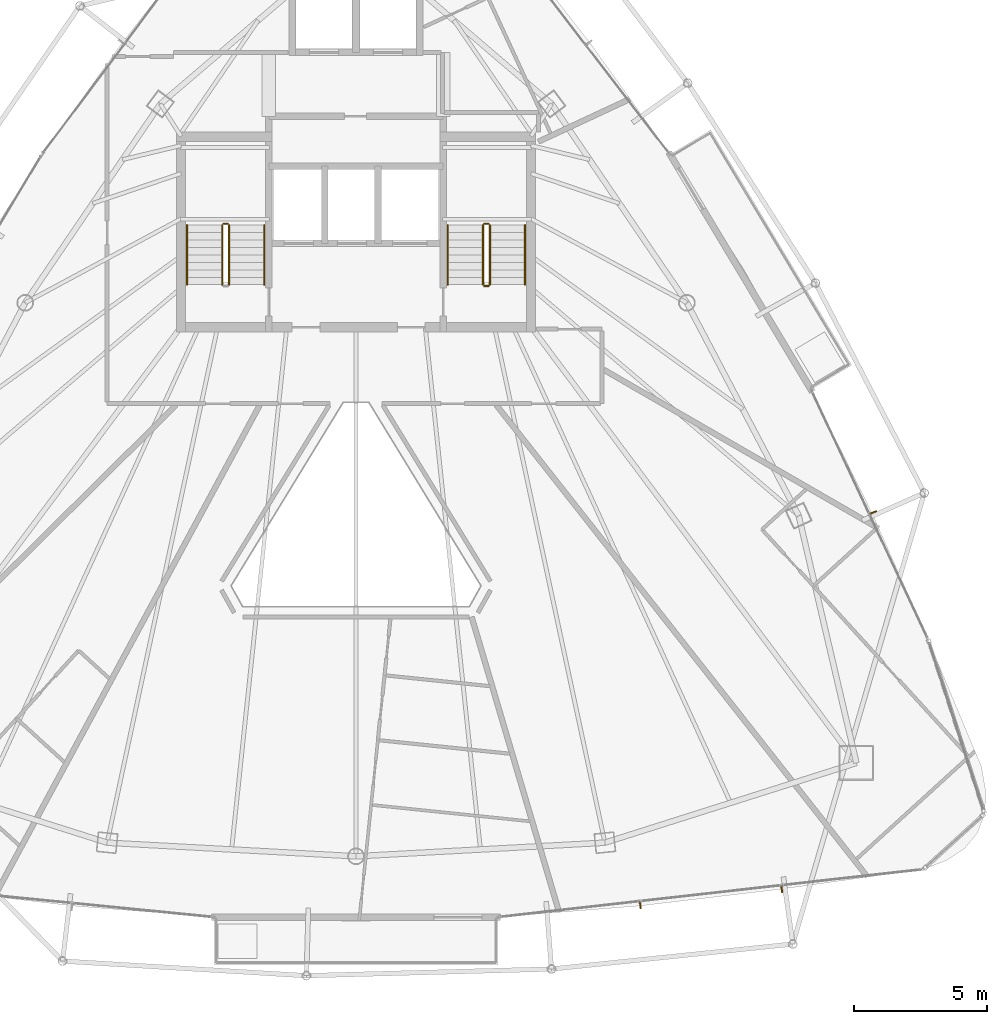
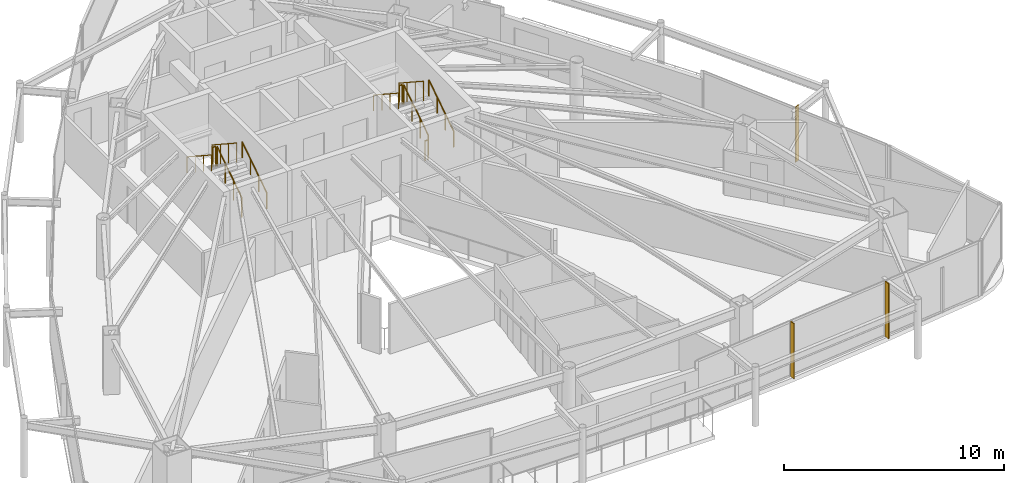
# One storey, part 33 of 34: 11 railings, 3 shading devices.
"""IFC4 building model written with IfcOpenShell, lengths in metres."""

from ifc_helpers import new_model, si_unit, direction, frame, origin, origin_2d, place, context, subcontext, project, spatial, rectangle, circle, extrude, material, layer, layer_set, type_object, element, save


model = new_model("IFC4")

# Units and contexts
model_context = context("Model", 3, precision=1e-05, world=origin(), true_north=direction((0.0, 1.0)))
body_context = subcontext(model_context, "Body", "Model", "MODEL_VIEW")
ifc_project = project(units=[si_unit("LENGTHUNIT", "METRE"), si_unit("AREAUNIT", "SQUARE_METRE"), si_unit("VOLUMEUNIT", "CUBIC_METRE"), si_unit("PLANEANGLEUNIT", "RADIAN"), si_unit("MASSUNIT", "GRAM", prefix="KILO")], contexts=[model_context])

# Site, building, storey
site_placement = place(None, origin())
site = spatial("IfcSite", under=ifc_project, at=site_placement, CompositionType="ELEMENT")
building_placement = place(site_placement, origin())
building = spatial("IfcBuilding", under=site, at=building_placement, Name="Orvanel Arch Residences", CompositionType="ELEMENT")
storey_placement = place(building_placement, frame((0.0, 0.0, 199.699951171875)))
storey = spatial("IfcBuildingStorey", under=building, at=storey_placement, Name="L56", CompositionType="ELEMENT", Elevation=199.699951171875)

# Shading devices
ifc_material_1 = material(Name="Bronze-anodised aluminium AA6063-T6", Category="aluminium")
ifc_layer = layer(ifc_material_1, 0.050048828125)
ifc_layer_set = layer_set([ifc_layer], Name="Bronze-anodised aluminium AA6063-T6")
shading_device_type = type_object("IfcShadingDeviceType", Name="FIN-BRZ-260", PredefinedType="USERDEFINED", material=ifc_layer_set)
for number, where, z_axis, x_axis, name in (
    (1, (43.681884765625, 5.0009765625, 0.0), (0.0, 0.0, 1.0), (0.111468932206, -0.993767919161, 0.0), "L56 Anodised Bronze Mullion FIN 01"),
    (2, (48.9970703125, 5.59912109375, 0.0), (0.0, 0.0, 1.0), (0.111468932206, -0.993767919161, 0.0), "L56 Anodised Bronze Mullion FIN 02"),
    (3, (52.43505859375, 19.763916015625, 0.0), (0.0, 0.0, 1.0), (0.905568799011, 0.424199422745, 0.0), "L56 Anodised Bronze Mullion FIN 01"),
):
    element("IfcShadingDevice", number, at=place(storey_placement, frame(where, z_axis=z_axis, x_axis=x_axis)), inside=storey, type_object=shading_device_type, Name=name, ObjectType="FIN", PredefinedType="USERDEFINED", context=body_context, shape_type="SweptSolid", body=[
        extrude(rectangle(XDim=0.260009765625, YDim=0.050048828125, at=origin_2d()), origin(), (0.0, 0.0, 1.0), 3.06005859375),
    ])

# Railings
ifc_material_2 = material(Name="Structural steel AS/NZS 1163 C350L0 (Grade 350)", Category="steel")
railing_type_1 = type_object("IfcRailingType", Name="RL-STAIR-GUARD", PredefinedType="GUARDRAIL", material=ifc_material_2)
railing_1_placement = place(storey_placement, frame((28.22998046875, 28.320068359375, 0.183349609375)))
element("IfcRailing", 4, at=railing_1_placement, inside=storey, type_object=railing_type_1, Name="L56 ST-1 stair guard 1", PredefinedType="GUARDRAIL", context=body_context, shape_type="SweptSolid", body=[
    extrude(circle(Radius=0.02392578125, at=origin_2d()), frame((0.0, 0.001220703125, 1.076904296875), z_axis=(0.0, 0.836595146698, 0.547821650285), x_axis=(-1.0, 0.0, 0.0)), (0.0, 0.0, 1.0), 2.674560546875),
    extrude(circle(Radius=0.02099609375, at=origin_2d()), origin(), (0.0, 0.0, 1.0), 1.050048828125),
    extrude(circle(Radius=0.02099609375, at=origin_2d()), frame((0.0, 0.74658203125, 0.489013671875)), (0.0, 0.0, 1.0), 1.050048828125),
    extrude(circle(Radius=0.02099609375, at=origin_2d()), frame((0.0, 1.493408203125, 0.977783203125)), (0.0, 0.0, 1.0), 1.050048828125),
    extrude(circle(Radius=0.02099609375, at=origin_2d()), frame((0.0, 2.239990234375, 1.466796875)), (0.0, 0.0, 1.0), 1.050048828125),
])
railing_2_placement = place(storey_placement, frame((28.179931640625, 30.610107421875, 1.650146484375)))
element("IfcRailing", 5, at=railing_2_placement, inside=storey, type_object=railing_type_1, Name="L56 ST-1 stair guard 2", PredefinedType="GUARDRAIL", context=body_context, shape_type="SweptSolid", body=[
    extrude(circle(Radius=0.02392578125, at=origin_2d()), frame((-0.00146484375, 0.0, 1.076171875), z_axis=(-1.0, 0.0, 0.0), x_axis=(0.0, -1.0, 0.0)), (0.0, 0.0, 1.0), 0.156982421875),
    extrude(circle(Radius=0.02099609375, at=origin_2d()), origin(), (0.0, 0.0, 1.0), 1.050048828125),
    extrude(circle(Radius=0.02099609375, at=origin_2d()), frame((-0.159912109375, 0.0, 0.0)), (0.0, 0.0, 1.0), 1.050048828125),
])
railing_3_placement = place(storey_placement, frame((27.969970703125, 30.56005859375, 1.83349609375)))
element("IfcRailing", 6, at=railing_3_placement, inside=storey, type_object=railing_type_1, Name="L56 ST-1 stair guard 3", PredefinedType="GUARDRAIL", context=body_context, shape_type="SweptSolid", body=[
    extrude(circle(Radius=0.02392578125, at=origin_2d()), frame((0.0, -0.001220703125, 1.076904296875), z_axis=(0.0, -0.836636935527, 0.547757827979), x_axis=(1.0, 0.0, 0.0)), (0.0, 0.0, 1.0), 2.67431640625),
    extrude(circle(Radius=0.02099609375, at=origin_2d()), origin(), (0.0, 0.0, 1.0), 1.050048828125),
    extrude(circle(Radius=0.02099609375, at=origin_2d()), frame((0.0, -0.74658203125, 0.48876953125)), (0.0, 0.0, 1.0), 1.050048828125),
    extrude(circle(Radius=0.02099609375, at=origin_2d()), frame((0.0, -1.493408203125, 0.977783203125)), (0.0, 0.0, 1.0), 1.050048828125),
    extrude(circle(Radius=0.02099609375, at=origin_2d()), frame((0.0, -2.239990234375, 1.466552734375)), (0.0, 0.0, 1.0), 1.050048828125),
])
railing_4_placement = place(storey_placement, frame((38.030029296875, 28.320068359375, 0.183349609375)))
element("IfcRailing", 7, at=railing_4_placement, inside=storey, type_object=railing_type_1, Name="L56 ST-2 stair guard 1", PredefinedType="GUARDRAIL", context=body_context, shape_type="SweptSolid", body=[
    extrude(circle(Radius=0.02392578125, at=origin_2d()), frame((0.0, 0.001220703125, 1.076904296875), z_axis=(0.0, 0.836595146698, 0.547821650285), x_axis=(-1.0, 0.0, 0.0)), (0.0, 0.0, 1.0), 2.674560546875),
    extrude(circle(Radius=0.02099609375, at=origin_2d()), origin(), (0.0, 0.0, 1.0), 1.050048828125),
    extrude(circle(Radius=0.02099609375, at=origin_2d()), frame((0.0, 0.74658203125, 0.489013671875)), (0.0, 0.0, 1.0), 1.050048828125),
    extrude(circle(Radius=0.02099609375, at=origin_2d()), frame((0.0, 1.493408203125, 0.977783203125)), (0.0, 0.0, 1.0), 1.050048828125),
    extrude(circle(Radius=0.02099609375, at=origin_2d()), frame((0.0, 2.239990234375, 1.466796875)), (0.0, 0.0, 1.0), 1.050048828125),
])
railing_5_placement = place(storey_placement, frame((37.97998046875, 30.610107421875, 1.650146484375)))
element("IfcRailing", 8, at=railing_5_placement, inside=storey, type_object=railing_type_1, Name="L56 ST-2 stair guard 2", PredefinedType="GUARDRAIL", context=body_context, shape_type="SweptSolid", body=[
    extrude(circle(Radius=0.02392578125, at=origin_2d()), frame((-0.00146484375, 0.0, 1.076171875), z_axis=(-1.0, 0.0, 0.0), x_axis=(0.0, -1.0, 0.0)), (0.0, 0.0, 1.0), 0.156982421875),
    extrude(circle(Radius=0.02099609375, at=origin_2d()), origin(), (0.0, 0.0, 1.0), 1.050048828125),
    extrude(circle(Radius=0.02099609375, at=origin_2d()), frame((-0.159912109375, 0.0, 0.0)), (0.0, 0.0, 1.0), 1.050048828125),
])
railing_6_placement = place(storey_placement, frame((37.77001953125, 30.56005859375, 1.83349609375)))
element("IfcRailing", 9, at=railing_6_placement, inside=storey, type_object=railing_type_1, Name="L56 ST-2 stair guard 3", PredefinedType="GUARDRAIL", context=body_context, shape_type="SweptSolid", body=[
    extrude(circle(Radius=0.02392578125, at=origin_2d()), frame((0.0, -0.001220703125, 1.076904296875), z_axis=(0.0, -0.836636935527, 0.547757827979), x_axis=(1.0, 0.0, 0.0)), (0.0, 0.0, 1.0), 2.67431640625),
    extrude(circle(Radius=0.02099609375, at=origin_2d()), origin(), (0.0, 0.0, 1.0), 1.050048828125),
    extrude(circle(Radius=0.02099609375, at=origin_2d()), frame((0.0, -0.74658203125, 0.48876953125)), (0.0, 0.0, 1.0), 1.050048828125),
    extrude(circle(Radius=0.02099609375, at=origin_2d()), frame((0.0, -1.493408203125, 0.977783203125)), (0.0, 0.0, 1.0), 1.050048828125),
    extrude(circle(Radius=0.02099609375, at=origin_2d()), frame((0.0, -2.239990234375, 1.466552734375)), (0.0, 0.0, 1.0), 1.050048828125),
])
railing_7_placement = place(storey_placement, frame((37.97998046875, 28.27001953125, 0.0)))
element("IfcRailing", 10, at=railing_7_placement, inside=storey, type_object=railing_type_1, Name="L56 ST-2 stair guard 4", PredefinedType="GUARDRAIL", context=body_context, shape_type="SweptSolid", body=[
    extrude(circle(Radius=0.02392578125, at=origin_2d()), frame((-0.00146484375, 0.0, 1.076171875), z_axis=(-1.0, 0.0, 0.0), x_axis=(0.0, -1.0, 0.0)), (0.0, 0.0, 1.0), 0.156982421875),
    extrude(circle(Radius=0.02099609375, at=origin_2d()), origin(), (0.0, 0.0, 1.0), 1.050048828125),
    extrude(circle(Radius=0.02099609375, at=origin_2d()), frame((-0.159912109375, 0.0, 0.0)), (0.0, 0.0, 1.0), 1.050048828125),
])
railing_type_2 = type_object("IfcRailingType", Name="RL-STAIR-HAND", PredefinedType="HANDRAIL", material=ifc_material_2)
railing_8_placement = place(storey_placement, frame((29.550048828125, 28.320068359375, 0.183349609375)))
element("IfcRailing", 11, at=railing_8_placement, inside=storey, type_object=railing_type_2, Name="L56 ST-1 stair handrail 1", PredefinedType="HANDRAIL", context=body_context, shape_type="SweptSolid", body=[
    extrude(circle(Radius=0.02392578125, at=origin_2d()), frame((0.0, 0.001220703125, 0.876708984375), z_axis=(0.0, 0.836595146698, 0.547821650285), x_axis=(-1.0, 0.0, 0.0)), (0.0, 0.0, 1.0), 2.674560546875),
    extrude(circle(Radius=0.02099609375, at=origin_2d()), origin(), (0.0, 0.0, 1.0), 0.849853515625),
    extrude(circle(Radius=0.02099609375, at=origin_2d()), frame((0.0, 0.74658203125, 0.489013671875)), (0.0, 0.0, 1.0), 0.849853515625),
    extrude(circle(Radius=0.02099609375, at=origin_2d()), frame((0.0, 1.493408203125, 0.977783203125)), (0.0, 0.0, 1.0), 0.849853515625),
    extrude(circle(Radius=0.02099609375, at=origin_2d()), frame((0.0, 2.239990234375, 1.466796875)), (0.0, 0.0, 1.0), 0.849853515625),
])
railing_9_placement = place(storey_placement, frame((26.64990234375, 30.56005859375, 1.83349609375)))
element("IfcRailing", 12, at=railing_9_placement, inside=storey, type_object=railing_type_2, Name="L56 ST-1 stair handrail 2", PredefinedType="HANDRAIL", context=body_context, shape_type="SweptSolid", body=[
    extrude(circle(Radius=0.02392578125, at=origin_2d()), frame((0.0, -0.001220703125, 0.876708984375), z_axis=(0.0, -0.836636935527, 0.547757827979), x_axis=(1.0, 0.0, 0.0)), (0.0, 0.0, 1.0), 2.67431640625),
    extrude(circle(Radius=0.02099609375, at=origin_2d()), origin(), (0.0, 0.0, 1.0), 0.849853515625),
    extrude(circle(Radius=0.02099609375, at=origin_2d()), frame((0.0, -0.74658203125, 0.48876953125)), (0.0, 0.0, 1.0), 0.849853515625),
    extrude(circle(Radius=0.02099609375, at=origin_2d()), frame((0.0, -1.493408203125, 0.977783203125)), (0.0, 0.0, 1.0), 0.849853515625),
    extrude(circle(Radius=0.02099609375, at=origin_2d()), frame((0.0, -2.239990234375, 1.466552734375)), (0.0, 0.0, 1.0), 0.849853515625),
])
railing_10_placement = place(storey_placement, frame((39.35009765625, 28.320068359375, 0.183349609375)))
element("IfcRailing", 13, at=railing_10_placement, inside=storey, type_object=railing_type_2, Name="L56 ST-2 stair handrail 1", PredefinedType="HANDRAIL", context=body_context, shape_type="SweptSolid", body=[
    extrude(circle(Radius=0.02392578125, at=origin_2d()), frame((0.0, 0.001220703125, 0.876708984375), z_axis=(0.0, 0.836595146698, 0.547821650285), x_axis=(-1.0, 0.0, 0.0)), (0.0, 0.0, 1.0), 2.674560546875),
    extrude(circle(Radius=0.02099609375, at=origin_2d()), origin(), (0.0, 0.0, 1.0), 0.849853515625),
    extrude(circle(Radius=0.02099609375, at=origin_2d()), frame((0.0, 0.74658203125, 0.489013671875)), (0.0, 0.0, 1.0), 0.849853515625),
    extrude(circle(Radius=0.02099609375, at=origin_2d()), frame((0.0, 1.493408203125, 0.977783203125)), (0.0, 0.0, 1.0), 0.849853515625),
    extrude(circle(Radius=0.02099609375, at=origin_2d()), frame((0.0, 2.239990234375, 1.466796875)), (0.0, 0.0, 1.0), 0.849853515625),
])
railing_11_placement = place(storey_placement, frame((36.449951171875, 30.56005859375, 1.83349609375)))
element("IfcRailing", 14, at=railing_11_placement, inside=storey, type_object=railing_type_2, Name="L56 ST-2 stair handrail 2", PredefinedType="HANDRAIL", context=body_context, shape_type="SweptSolid", body=[
    extrude(circle(Radius=0.02392578125, at=origin_2d()), frame((0.0, -0.001220703125, 0.876708984375), z_axis=(0.0, -0.836636935527, 0.547757827979), x_axis=(1.0, 0.0, 0.0)), (0.0, 0.0, 1.0), 2.67431640625),
    extrude(circle(Radius=0.02099609375, at=origin_2d()), origin(), (0.0, 0.0, 1.0), 0.849853515625),
    extrude(circle(Radius=0.02099609375, at=origin_2d()), frame((0.0, -0.74658203125, 0.48876953125)), (0.0, 0.0, 1.0), 0.849853515625),
    extrude(circle(Radius=0.02099609375, at=origin_2d()), frame((0.0, -1.493408203125, 0.977783203125)), (0.0, 0.0, 1.0), 0.849853515625),
    extrude(circle(Radius=0.02099609375, at=origin_2d()), frame((0.0, -2.239990234375, 1.466552734375)), (0.0, 0.0, 1.0), 0.849853515625),
])

save(model, "model.ifc")
